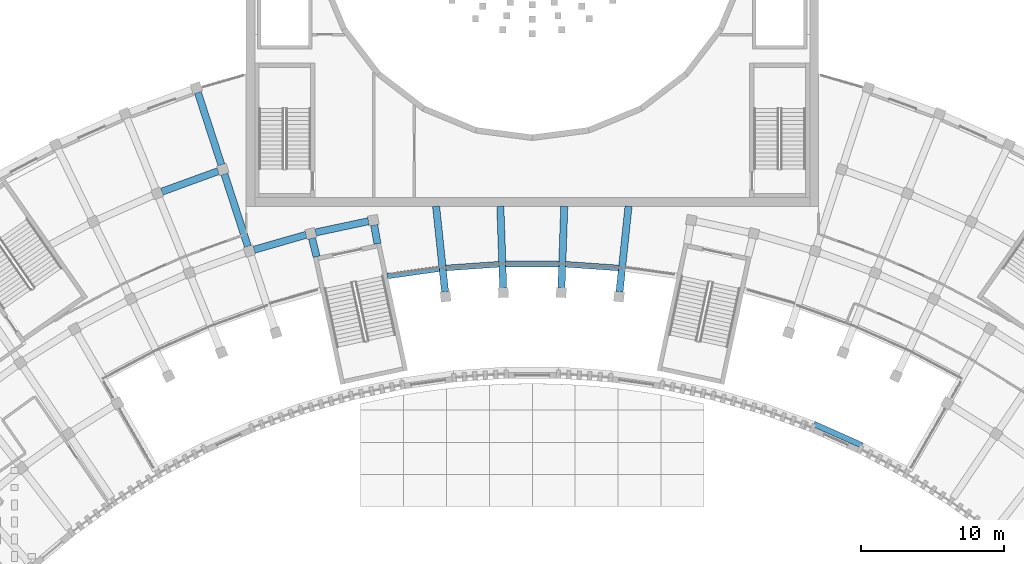
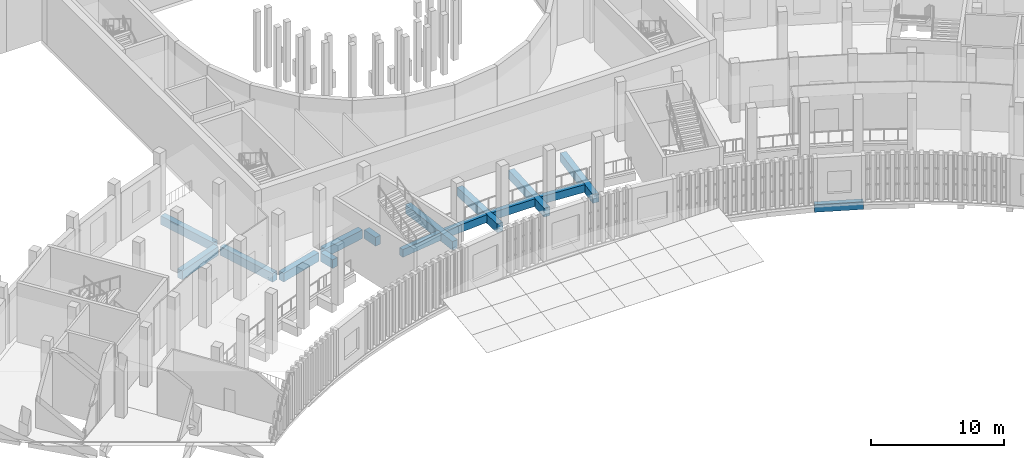
# One storey, part 13 of 112: 16 beams.
"""IFC4 building model written with IfcOpenShell, lengths in metres."""

from ifc_helpers import new_model, si_unit, direction, frame, origin, origin_2d, place, context, subcontext, project, spatial, rectangle, extrude, material, material_profile, profile_set, type_object, element, save


model = new_model("IFC4")

# Units and contexts
model_context = context("Model", 3, precision=1e-05, world=origin(), true_north=direction((0.0, 1.0)))
body_context = subcontext(model_context, "Body", "Model", "MODEL_VIEW")
ifc_project = project(units=[si_unit("LENGTHUNIT", "METRE"), si_unit("AREAUNIT", "SQUARE_METRE"), si_unit("VOLUMEUNIT", "CUBIC_METRE"), si_unit("PLANEANGLEUNIT", "RADIAN"), si_unit("MASSUNIT", "GRAM", prefix="KILO")], contexts=[model_context])

# Site, building, storey
site_placement = place(None, origin())
site = spatial("IfcSite", under=ifc_project, at=site_placement, CompositionType="ELEMENT")
building_placement = place(site_placement, origin())
building = spatial("IfcBuilding", under=site, at=building_placement, Name="Lunette Opera House", CompositionType="ELEMENT")
storey_placement = place(building_placement, frame((0.0, 0.0, 6.0)))
storey = spatial("IfcBuildingStorey", under=building, at=storey_placement, Name="L01", CompositionType="ELEMENT", Elevation=6.0)

# Beams
ifc_material_1 = material(Name="Concrete C35/45", Category="concrete")
ifc_material_profile_1 = material_profile(ifc_material_1, rectangle(XDim=0.39990234375, YDim=0.699951171875, at=origin_2d()), Name="RC BEAM 400X700")
ifc_profile_set_1 = profile_set([ifc_material_profile_1], Name="Concrete C35/45")
beam_type_1 = type_object("IfcBeamType", Name="RC BEAM 400X700", PredefinedType="BEAM", material=ifc_profile_set_1)
beam_1_placement = place(storey_placement, frame((85.875, 59.1298828125, -0.570068359375), z_axis=(0.990284150635, 0.139058624332, 0.0), x_axis=(-0.139058624332, 0.990284150635, 0.0)))
element("IfcBeam", 1, at=beam_1_placement, inside=storey, type_object=beam_type_1, Name="beam-FC-L01-TRL01-006", PredefinedType="BEAM", context=body_context, shape_type="SweptSolid", body=[
    extrude(rectangle(XDim=0.39990234375, YDim=0.699951171875, at=origin_2d()), origin(), (0.0, 0.0, 1.0), 3.66064453125),
])
beam_2_placement = place(storey_placement, frame((89.9580078125, 59.68701171875, -0.570068359375), z_axis=(0.997563664707, 0.06976198719, 0.0), x_axis=(-0.06976198719, 0.997563664707, 0.0)))
element("IfcBeam", 2, at=beam_2_placement, inside=storey, type_object=beam_type_1, Name="beam-FC-L01-TRL01-007", PredefinedType="BEAM", context=body_context, shape_type="SweptSolid", body=[
    extrude(rectangle(XDim=0.39990234375, YDim=0.699951171875, at=origin_2d()), origin(), (0.0, 0.0, 1.0), 3.72705078125),
])
beam_3_placement = place(storey_placement, frame((94.135986328125, 59.962890625, -0.570068359375), z_axis=(1.0, 0.0, 0.0), x_axis=(0.0, 1.0, 0.0)))
element("IfcBeam", 3, at=beam_3_placement, inside=storey, type_object=beam_type_1, Name="beam-FC-L01-TRL01-008", PredefinedType="BEAM", context=body_context, shape_type="SweptSolid", body=[
    extrude(rectangle(XDim=0.39990234375, YDim=0.699951171875, at=origin_2d()), origin(), (0.0, 0.0, 1.0), 3.72802734375),
])
beam_4_placement = place(storey_placement, frame((98.323974609375, 59.947021484375, -0.570068359375), z_axis=(0.997563664707, -0.06976198719, 0.0), x_axis=(0.06976198719, 0.997563664707, 0.0)))
element("IfcBeam", 4, at=beam_4_placement, inside=storey, type_object=beam_type_1, Name="beam-FC-L01-TRL01-009", PredefinedType="BEAM", context=body_context, shape_type="SweptSolid", body=[
    extrude(rectangle(XDim=0.39990234375, YDim=0.699951171875, at=origin_2d()), origin(), (0.0, 0.0, 1.0), 3.72705078125),
])
beam_5_placement = place(storey_placement, frame((119.06689453125, 47.27294921875, -0.570068359375), z_axis=(-0.913571346439, 0.406678490906, 0.0), x_axis=(-0.406678490906, -0.913571346439, 0.0)))
element("IfcBeam", 5, at=beam_5_placement, inside=storey, type_object=beam_type_1, Name="beam-FC-L01-TRL01-016", PredefinedType="BEAM", context=body_context, shape_type="SweptSolid", body=[
    extrude(rectangle(XDim=0.39990234375, YDim=0.699951171875, at=origin_2d()), origin(), (0.0, 0.0, 1.0), 3.69091796875),
])
ifc_material_2 = material(Name="Concrete C35/45", Category="concrete")
ifc_material_profile_2 = material_profile(ifc_material_2, rectangle(XDim=0.5, YDim=0.800048828125, at=origin_2d()), Name="RC BEAM 500X800")
ifc_profile_set_2 = profile_set([ifc_material_profile_2], Name="Concrete C35/45")
beam_type_2 = type_object("IfcBeamType", Name="RC BEAM 500X800", PredefinedType="BEAM", material=ifc_profile_set_2)
for number, where, z_axis, x_axis, name in (
    (6, (76.117919921875, 61.19091796875, -0.6201171875), (-0.30896363271, 0.951073852896, 0.0), (-0.951073852896, -0.30896363271, 0.0), "beam-FC-L01-L01-RB-RL-09-3"),
    (7, (74.263916015625, 66.89697265625, -0.6201171875), (-0.30896363271, 0.951073852896, 0.0), (-0.951073852896, -0.30896363271, 0.0), "beam-FC-L01-L01-RB-RL-09-4"),
):
    element("IfcBeam", number, at=place(storey_placement, frame(where, z_axis=z_axis, x_axis=x_axis)), inside=storey, type_object=beam_type_2, Name=name, PredefinedType="BEAM", context=body_context, shape_type="SweptSolid", body=[
        extrude(rectangle(XDim=0.5, YDim=0.800048828125, at=origin_2d()), origin(), (0.0, 0.0, 1.0), 5.3203125),
    ])
beam_6_placement = place(storey_placement, frame((80.9208984375, 60.47705078125, -0.6201171875), z_axis=(-0.241672643646, 0.970357837766, 0.0), x_axis=(-0.970357837766, -0.241672643646, 0.0)))
element("IfcBeam", 8, at=beam_6_placement, inside=storey, type_object=beam_type_2, Name="beam-FC-L01-L01-RB-RL-10-2", PredefinedType="BEAM", context=body_context, shape_type="SweptSolid", body=[
    extrude(rectangle(XDim=0.5, YDim=0.800048828125, at=origin_2d()), origin(), (0.0, 0.0, 1.0), 1.33154296875),
])
beam_7_placement = place(storey_placement, frame((85.177001953125, 61.381103515625, -0.6201171875), z_axis=(-0.173367133404, 0.984857267352, 0.0), x_axis=(-0.984857267352, -0.173367133404, 0.0)))
element("IfcBeam", 9, at=beam_7_placement, inside=storey, type_object=beam_type_2, Name="beam-FC-L01-L01-RB-RL-11-2", PredefinedType="BEAM", context=body_context, shape_type="SweptSolid", body=[
    extrude(rectangle(XDim=0.5, YDim=0.800048828125, at=origin_2d()), origin(), (0.0, 0.0, 1.0), 1.332275390625),
])
beam_8_placement = place(storey_placement, frame((89.902099609375, 58.02001953125, -0.6201171875), z_axis=(-0.104631945852, 0.994511013467, 0.0), x_axis=(-0.994511013467, -0.104631945852, 0.0)))
element("IfcBeam", 10, at=beam_8_placement, inside=storey, type_object=beam_type_2, Name="beam-FC-L01-L01-RB-RL-12-2", PredefinedType="BEAM", context=body_context, shape_type="SweptSolid", body=[
    extrude(rectangle(XDim=0.5, YDim=0.800048828125, at=origin_2d()), origin(), (0.0, 0.0, 1.0), 6.012939453125),
])
for number, where, z_axis, x_axis, name in (
    (11, (93.964111328125, 58.303955078125, -0.6201171875), (-0.03495355421, 0.999388937826, 0.0), (-0.999388937826, -0.03495355421, 0.0), "beam-FC-L01-L01-RB-RL-13-2"),
    (12, (98.035888671875, 58.303955078125, -0.6201171875), (0.03495355421, 0.999388937826, 0.0), (-0.999388937826, 0.03495355421, 0.0), "beam-FC-L01-L01-RB-RL-14-2"),
):
    element("IfcBeam", number, at=place(storey_placement, frame(where, z_axis=z_axis, x_axis=x_axis)), inside=storey, type_object=beam_type_2, Name=name, PredefinedType="BEAM", context=body_context, shape_type="SweptSolid", body=[
        extrude(rectangle(XDim=0.5, YDim=0.800048828125, at=origin_2d()), origin(), (0.0, 0.0, 1.0), 5.699462890625),
    ])
beam_9_placement = place(storey_placement, frame((102.097900390625, 58.02001953125, -0.6201171875), z_axis=(0.104631945852, 0.994511013467, 0.0), x_axis=(-0.994511013467, 0.104631945852, 0.0)))
element("IfcBeam", 13, at=beam_9_placement, inside=storey, type_object=beam_type_2, Name="beam-FC-L01-L01-RB-RL-15-2", PredefinedType="BEAM", context=body_context, shape_type="SweptSolid", body=[
    extrude(rectangle(XDim=0.5, YDim=0.800048828125, at=origin_2d()), origin(), (0.0, 0.0, 1.0), 6.012939453125),
])
beam_10_placement = place(storey_placement, frame((76.550048828125, 60.9619140625, -0.6201171875), z_axis=(0.961314416765, 0.275453430037, 0.0), x_axis=(-0.275453430037, 0.961314416765, 0.0)))
element("IfcBeam", 14, at=beam_10_placement, inside=storey, type_object=beam_type_2, Name="beam-FC-L01-L01-RG-AR-B-RL-09", PredefinedType="BEAM", context=body_context, shape_type="SweptSolid", body=[
    extrude(rectangle(XDim=0.5, YDim=0.800048828125, at=origin_2d()), origin(), (0.0, 0.0, 1.0), 3.786376953125),
])
beam_11_placement = place(storey_placement, frame((80.85009765625, 62.169921875, -0.6201171875), z_axis=(0.978156720642, 0.207868780394, 0.0), x_axis=(-0.207868780394, 0.978156720642, 0.0)))
element("IfcBeam", 15, at=beam_11_placement, inside=storey, type_object=beam_type_2, Name="beam-FC-L01-L01-RG-AR-B-RL-10", PredefinedType="BEAM", context=body_context, shape_type="SweptSolid", body=[
    extrude(rectangle(XDim=0.5, YDim=0.800048828125, at=origin_2d()), origin(), (0.0, 0.0, 1.0), 3.78662109375),
])
beam_12_placement = place(storey_placement, frame((70.097900390625, 65.01904296875, -0.6201171875), z_axis=(0.939627187369, 0.34219986668, 0.0), x_axis=(-0.34219986668, 0.939627187369, 0.0)))
element("IfcBeam", 16, at=beam_12_placement, inside=storey, type_object=beam_type_2, Name="beam-FC-L01-L01-RG-AR-M2-RL-08", PredefinedType="BEAM", context=body_context, shape_type="SweptSolid", body=[
    extrude(rectangle(XDim=0.5, YDim=0.800048828125, at=origin_2d()), origin(), (0.0, 0.0, 1.0), 4.205078125),
])

save(model, "model.ifc")
